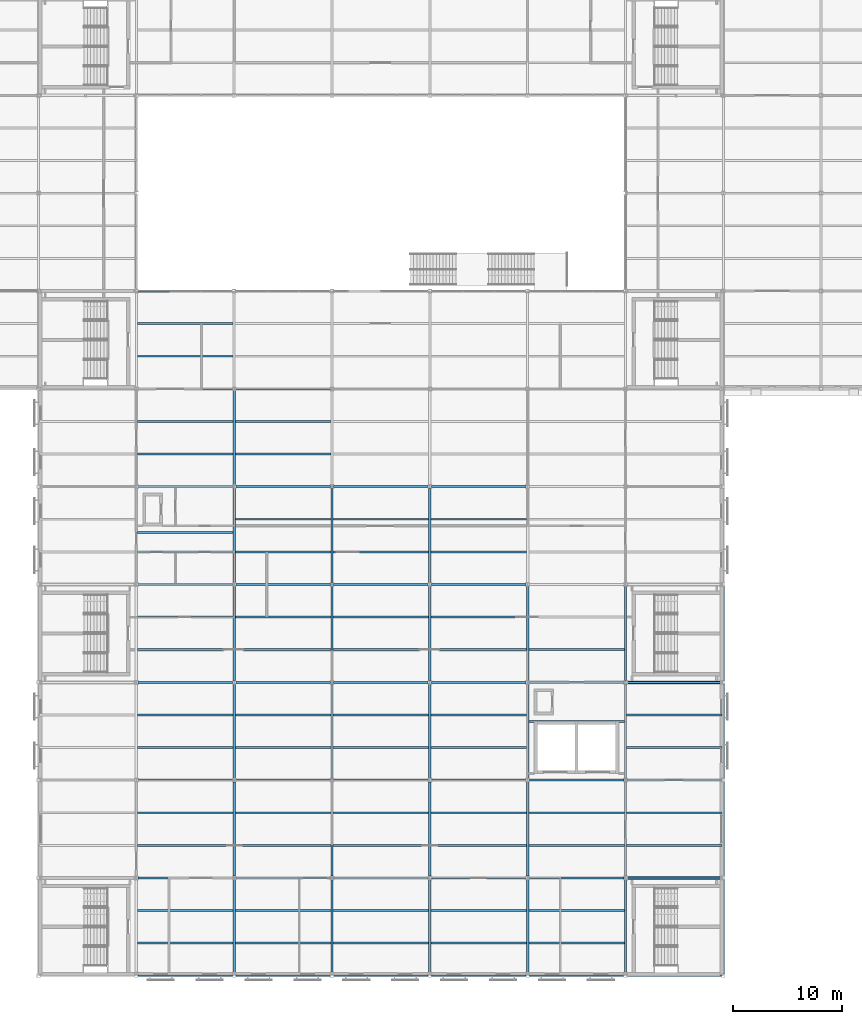
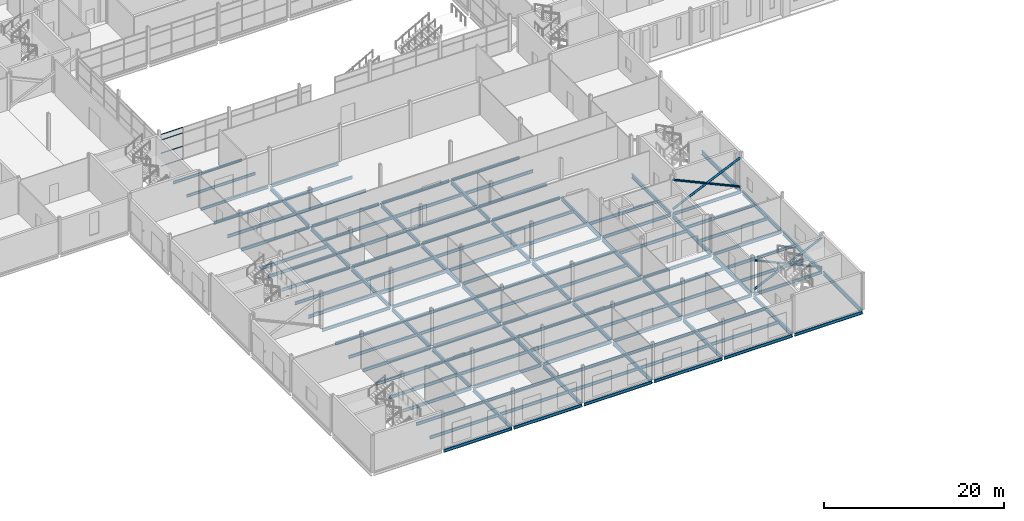
# One storey, part 19 of 112: 118 beams, 8 members, 1 element without a shape of its own.
"""IFC4 building model written with IfcOpenShell, lengths in metres."""

from ifc_helpers import new_model, si_unit, direction, frame, origin, origin_2d, place, context, subcontext, project, spatial, hollow_rectangle, hollow_circle, i_section, extrude, material, layer, layer_set, material_profile, profile_set, type_object, element, aggregate, save


model = new_model("IFC4")

# Units and contexts
model_context = context("Model", 3, precision=1e-05, world=origin(), true_north=direction((0.0, 1.0)))
body_context = subcontext(model_context, "Body", "Model", "MODEL_VIEW")
ifc_project = project(units=[si_unit("LENGTHUNIT", "METRE"), si_unit("AREAUNIT", "SQUARE_METRE"), si_unit("VOLUMEUNIT", "CUBIC_METRE"), si_unit("PLANEANGLEUNIT", "RADIAN"), si_unit("MASSUNIT", "GRAM", prefix="KILO")], contexts=[model_context])

# Site, building, storey
site_placement = place(None, origin())
site = spatial("IfcSite", under=ifc_project, at=site_placement, CompositionType="ELEMENT")
building_placement = place(site_placement, origin())
building = spatial("IfcBuilding", under=site, at=building_placement, Name="Shorebreak Coast Museum", CompositionType="ELEMENT")
storey_placement = place(building_placement, frame((0.0, 0.0, 6.0)))
storey = spatial("IfcBuildingStorey", under=building, at=storey_placement, Name="L01", CompositionType="ELEMENT", Elevation=6.0)

# Beams
ifc_material_1 = material(Name="Steel Grade 300", Category="steel")
ifc_material_profile_1 = material_profile(ifc_material_1, i_section(OverallWidth=0.172119140625, OverallDepth=0.358642578125, WebThickness=0.008056640625, FlangeThickness=0.012939453125, FilletRadius=0.011474609375, at=origin_2d()), Name="360UB56.7")
ifc_profile_set_1 = profile_set([ifc_material_profile_1], Name="Steel Grade 300")
beam_type_1 = type_object("IfcBeamType", Name="Floor girder east-west 360UB56.7", PredefinedType="BEAM", material=ifc_profile_set_1)
for number, where, z_axis, x_axis, name in (
    (1, (63.154541015625, 54.0, -0.354248046875), (1.0, 0.0, 0.0), (0.0, 1.0, 0.0), "Floor girder east-west L01 8G"),
    (2, (72.154541015625, 54.0, -0.354248046875), (1.0, 0.0, 0.0), (0.0, 1.0, 0.0), "Floor girder east-west L01 9G"),
):
    element("IfcBeam", number, at=place(storey_placement, frame(where, z_axis=z_axis, x_axis=x_axis)), inside=storey, type_object=beam_type_1, Name=name, PredefinedType="BEAM", context=body_context, shape_type="SweptSolid", body=[
        extrude(i_section(OverallWidth=0.172119140625, OverallDepth=0.358642578125, WebThickness=0.008056640625, FlangeThickness=0.012939453125, FilletRadius=0.011474609375, at=origin_2d()), origin(), (0.0, 0.0, 1.0), 8.69091796875),
    ])
ifc_material_2 = material(Name="Steel Grade 300", Category="steel")
ifc_material_profile_2 = material_profile(ifc_material_2, i_section(OverallWidth=0.177978515625, OverallDepth=0.406494140625, WebThickness=0.0078125, FlangeThickness=0.0126953125, FilletRadius=0.011474609375, at=origin_2d()), Name="410UB59.7")
ifc_profile_set_2 = profile_set([ifc_material_profile_2], Name="Steel Grade 300")
beam_type_2 = type_object("IfcBeamType", Name="Floor girder east-west 410UB59.7", PredefinedType="BEAM", material=ifc_profile_set_2)
for number, where, z_axis, x_axis, name in (
    (3, (63.14990234375, 0.0, -0.378173828125), (1.0, 0.0, 0.0), (0.0, 1.0, 0.0), "Floor girder east-west L01 8A"),
    (4, (72.14990234375, 0.0, -0.378173828125), (1.0, 0.0, 0.0), (0.0, 1.0, 0.0), "Floor girder east-west L01 9A"),
    (5, (81.14990234375, 0.0, -0.378173828125), (1.0, 0.0, 0.0), (0.0, 1.0, 0.0), "Floor girder east-west L01 10A"),
    (6, (90.14990234375, 0.0, -0.378173828125), (1.0, 0.0, 0.0), (0.0, 1.0, 0.0), "Floor girder east-west L01 11A"),
    (7, (99.14990234375, 0.0, -0.378173828125), (1.0, 0.0, 0.0), (0.0, 1.0, 0.0), "Floor girder east-west L01 12A"),
    (8, (108.14990234375, 0.0, -0.378173828125), (1.0, 0.0, 0.0), (0.0, 1.0, 0.0), "Floor girder east-west L01 13A"),
):
    element("IfcBeam", number, at=place(storey_placement, frame(where, z_axis=z_axis, x_axis=x_axis)), inside=storey, type_object=beam_type_2, Name=name, PredefinedType="BEAM", context=body_context, shape_type="SweptSolid", body=[
        extrude(i_section(OverallWidth=0.177978515625, OverallDepth=0.406494140625, WebThickness=0.0078125, FlangeThickness=0.0126953125, FilletRadius=0.011474609375, at=origin_2d()), origin(), (0.0, 0.0, 1.0), 8.7001953125),
    ])
for number, where, z_axis, x_axis, name in (
    (9, (63.154541015625, 9.0, -0.378173828125), (1.0, 0.0, 0.0), (0.0, 1.0, 0.0), "Floor girder east-west L01 8B"),
    (10, (72.154541015625, 9.0, -0.378173828125), (1.0, 0.0, 0.0), (0.0, 1.0, 0.0), "Floor girder east-west L01 9B"),
    (11, (81.154541015625, 9.0, -0.378173828125), (1.0, 0.0, 0.0), (0.0, 1.0, 0.0), "Floor girder east-west L01 10B"),
    (12, (90.154541015625, 9.0, -0.378173828125), (1.0, 0.0, 0.0), (0.0, 1.0, 0.0), "Floor girder east-west L01 11B"),
    (13, (99.154541015625, 9.0, -0.378173828125), (1.0, 0.0, 0.0), (0.0, 1.0, 0.0), "Floor girder east-west L01 12B"),
):
    element("IfcBeam", number, at=place(storey_placement, frame(where, z_axis=z_axis, x_axis=x_axis)), inside=storey, type_object=beam_type_2, Name=name, PredefinedType="BEAM", context=body_context, shape_type="SweptSolid", body=[
        extrude(i_section(OverallWidth=0.177978515625, OverallDepth=0.406494140625, WebThickness=0.0078125, FlangeThickness=0.0126953125, FilletRadius=0.011474609375, at=origin_2d()), origin(), (0.0, 0.0, 1.0), 8.69091796875),
    ])
beam_1_placement = place(storey_placement, frame((108.154541015625, 9.0, -0.378173828125), z_axis=(1.0, 0.0, 0.0), x_axis=(0.0, 1.0, 0.0)))
element("IfcBeam", 14, at=beam_1_placement, inside=storey, type_object=beam_type_2, Name="Floor girder east-west L01 13B", PredefinedType="BEAM", context=body_context, shape_type="SweptSolid", body=[
    extrude(i_section(OverallWidth=0.177978515625, OverallDepth=0.406494140625, WebThickness=0.0078125, FlangeThickness=0.0126953125, FilletRadius=0.011474609375, at=origin_2d()), origin(), (0.0, 0.0, 1.0), 8.695556640625),
])
for number, where, z_axis, x_axis, name in (
    (15, (63.154541015625, 18.0, -0.378173828125), (1.0, 0.0, 0.0), (0.0, 1.0, 0.0), "Floor girder east-west L01 8C"),
    (16, (72.154541015625, 18.0, -0.378173828125), (1.0, 0.0, 0.0), (0.0, 1.0, 0.0), "Floor girder east-west L01 9C"),
    (17, (81.154541015625, 18.0, -0.378173828125), (1.0, 0.0, 0.0), (0.0, 1.0, 0.0), "Floor girder east-west L01 10C"),
    (18, (90.154541015625, 18.0, -0.378173828125), (1.0, 0.0, 0.0), (0.0, 1.0, 0.0), "Floor girder east-west L01 11C"),
    (19, (99.154541015625, 18.0, -0.378173828125), (1.0, 0.0, 0.0), (0.0, 1.0, 0.0), "Floor girder east-west L01 12C"),
):
    element("IfcBeam", number, at=place(storey_placement, frame(where, z_axis=z_axis, x_axis=x_axis)), inside=storey, type_object=beam_type_2, Name=name, PredefinedType="BEAM", context=body_context, shape_type="SweptSolid", body=[
        extrude(i_section(OverallWidth=0.177978515625, OverallDepth=0.406494140625, WebThickness=0.0078125, FlangeThickness=0.0126953125, FilletRadius=0.011474609375, at=origin_2d()), origin(), (0.0, 0.0, 1.0), 8.69091796875),
    ])
beam_2_placement = place(storey_placement, frame((108.154541015625, 18.0, -0.378173828125), z_axis=(1.0, 0.0, 0.0), x_axis=(0.0, 1.0, 0.0)))
element("IfcBeam", 20, at=beam_2_placement, inside=storey, type_object=beam_type_2, Name="Floor girder east-west L01 13C", PredefinedType="BEAM", context=body_context, shape_type="SweptSolid", body=[
    extrude(i_section(OverallWidth=0.177978515625, OverallDepth=0.406494140625, WebThickness=0.0078125, FlangeThickness=0.0126953125, FilletRadius=0.011474609375, at=origin_2d()), origin(), (0.0, 0.0, 1.0), 8.695556640625),
])
for number, where, z_axis, x_axis, name in (
    (21, (63.154541015625, 27.0, -0.378173828125), (1.0, 0.0, 0.0), (0.0, 1.0, 0.0), "Floor girder east-west L01 8D"),
    (22, (72.154541015625, 27.0, -0.378173828125), (1.0, 0.0, 0.0), (0.0, 1.0, 0.0), "Floor girder east-west L01 9D"),
    (23, (81.154541015625, 27.0, -0.378173828125), (1.0, 0.0, 0.0), (0.0, 1.0, 0.0), "Floor girder east-west L01 10D"),
    (24, (90.154541015625, 27.0, -0.378173828125), (1.0, 0.0, 0.0), (0.0, 1.0, 0.0), "Floor girder east-west L01 11D"),
    (25, (99.154541015625, 27.0, -0.378173828125), (1.0, 0.0, 0.0), (0.0, 1.0, 0.0), "Floor girder east-west L01 12D"),
):
    element("IfcBeam", number, at=place(storey_placement, frame(where, z_axis=z_axis, x_axis=x_axis)), inside=storey, type_object=beam_type_2, Name=name, PredefinedType="BEAM", context=body_context, shape_type="SweptSolid", body=[
        extrude(i_section(OverallWidth=0.177978515625, OverallDepth=0.406494140625, WebThickness=0.0078125, FlangeThickness=0.0126953125, FilletRadius=0.011474609375, at=origin_2d()), origin(), (0.0, 0.0, 1.0), 8.69091796875),
    ])
beam_3_placement = place(storey_placement, frame((108.154541015625, 27.0, -0.378173828125), z_axis=(1.0, 0.0, 0.0), x_axis=(0.0, 1.0, 0.0)))
element("IfcBeam", 26, at=beam_3_placement, inside=storey, type_object=beam_type_2, Name="Floor girder east-west L01 13D", PredefinedType="BEAM", context=body_context, shape_type="SweptSolid", body=[
    extrude(i_section(OverallWidth=0.177978515625, OverallDepth=0.406494140625, WebThickness=0.0078125, FlangeThickness=0.0126953125, FilletRadius=0.011474609375, at=origin_2d()), origin(), (0.0, 0.0, 1.0), 8.695556640625),
])
for number, where, z_axis, x_axis, name in (
    (27, (63.154541015625, 36.0, -0.378173828125), (1.0, 0.0, 0.0), (0.0, 1.0, 0.0), "Floor girder east-west L01 8E"),
    (28, (72.154541015625, 36.0, -0.378173828125), (1.0, 0.0, 0.0), (0.0, 1.0, 0.0), "Floor girder east-west L01 9E"),
    (29, (81.154541015625, 36.0, -0.378173828125), (1.0, 0.0, 0.0), (0.0, 1.0, 0.0), "Floor girder east-west L01 10E"),
    (30, (90.154541015625, 36.0, -0.378173828125), (1.0, 0.0, 0.0), (0.0, 1.0, 0.0), "Floor girder east-west L01 11E"),
    (31, (63.154541015625, 45.0, -0.378173828125), (1.0, 0.0, 0.0), (0.0, 1.0, 0.0), "Floor girder east-west L01 8F"),
    (32, (72.154541015625, 45.0, -0.378173828125), (1.0, 0.0, 0.0), (0.0, 1.0, 0.0), "Floor girder east-west L01 9F"),
    (33, (81.154541015625, 45.0, -0.378173828125), (1.0, 0.0, 0.0), (0.0, 1.0, 0.0), "Floor girder east-west L01 10F"),
    (34, (90.154541015625, 45.0, -0.378173828125), (1.0, 0.0, 0.0), (0.0, 1.0, 0.0), "Floor girder east-west L01 11F"),
):
    element("IfcBeam", number, at=place(storey_placement, frame(where, z_axis=z_axis, x_axis=x_axis)), inside=storey, type_object=beam_type_2, Name=name, PredefinedType="BEAM", context=body_context, shape_type="SweptSolid", body=[
        extrude(i_section(OverallWidth=0.177978515625, OverallDepth=0.406494140625, WebThickness=0.0078125, FlangeThickness=0.0126953125, FilletRadius=0.011474609375, at=origin_2d()), origin(), (0.0, 0.0, 1.0), 8.69091796875),
    ])
ifc_material_3 = material(Name="Steel Grade 300", Category="steel")
ifc_material_profile_3 = material_profile(ifc_material_3, i_section(OverallWidth=0.208984375, OverallDepth=0.532958984375, WebThickness=0.01025390625, FlangeThickness=0.015625, FilletRadius=0.013916015625, at=origin_2d()), Name="530UB92.4")
ifc_profile_set_3 = profile_set([ifc_material_profile_3], Name="Steel Grade 300")
beam_type_3 = type_object("IfcBeamType", Name="Floor girder north-south 530UB92.4", PredefinedType="BEAM", material=ifc_profile_set_3)
for number, where, z_axis, x_axis, name in (
    (35, (72.0, 0.14990234375, -0.44140625), (0.0, 1.0, 0.0), (-1.0, 0.0, 0.0), "Floor girder north-south L01 9A"),
    (36, (81.0, 0.14990234375, -0.44140625), (0.0, 1.0, 0.0), (-1.0, 0.0, 0.0), "Floor girder north-south L01 10A"),
    (37, (90.0, 0.14990234375, -0.44140625), (0.0, 1.0, 0.0), (-1.0, 0.0, 0.0), "Floor girder north-south L01 11A"),
    (38, (99.0, 0.14990234375, -0.44140625), (0.0, 1.0, 0.0), (-1.0, 0.0, 0.0), "Floor girder north-south L01 12A"),
    (39, (108.0, 0.14990234375, -0.44140625), (0.0, 1.0, 0.0), (-1.0, 0.0, 0.0), "Floor girder north-south L01 13A"),
):
    element("IfcBeam", number, at=place(storey_placement, frame(where, z_axis=z_axis, x_axis=x_axis)), inside=storey, type_object=beam_type_3, Name=name, PredefinedType="BEAM", context=body_context, shape_type="SweptSolid", body=[
        extrude(i_section(OverallWidth=0.208984375, OverallDepth=0.532958984375, WebThickness=0.01025390625, FlangeThickness=0.015625, FilletRadius=0.013916015625, at=origin_2d()), origin(), (0.0, 0.0, 1.0), 8.689697265625),
    ])
beam_4_placement = place(storey_placement, frame((117.0, 0.14990234375, -0.44140625), z_axis=(0.0, 1.0, 0.0), x_axis=(-1.0, 0.0, 0.0)))
element("IfcBeam", 40, at=beam_4_placement, inside=storey, type_object=beam_type_3, Name="Floor girder north-south L01 14A", PredefinedType="BEAM", context=body_context, shape_type="SweptSolid", body=[
    extrude(i_section(OverallWidth=0.208984375, OverallDepth=0.532958984375, WebThickness=0.01025390625, FlangeThickness=0.015625, FilletRadius=0.013916015625, at=origin_2d()), origin(), (0.0, 0.0, 1.0), 8.7001953125),
])
for number, where, z_axis, x_axis, name in (
    (41, (72.0, 9.160400390625, -0.44140625), (0.0, 1.0, 0.0), (-1.0, 0.0, 0.0), "Floor girder north-south L01 9B"),
    (42, (81.0, 9.160400390625, -0.44140625), (0.0, 1.0, 0.0), (-1.0, 0.0, 0.0), "Floor girder north-south L01 10B"),
    (43, (90.0, 9.160400390625, -0.44140625), (0.0, 1.0, 0.0), (-1.0, 0.0, 0.0), "Floor girder north-south L01 11B"),
    (44, (99.0, 9.160400390625, -0.44140625), (0.0, 1.0, 0.0), (-1.0, 0.0, 0.0), "Floor girder north-south L01 12B"),
    (45, (108.0, 9.160400390625, -0.44140625), (0.0, 1.0, 0.0), (-1.0, 0.0, 0.0), "Floor girder north-south L01 13B"),
):
    element("IfcBeam", number, at=place(storey_placement, frame(where, z_axis=z_axis, x_axis=x_axis)), inside=storey, type_object=beam_type_3, Name=name, PredefinedType="BEAM", context=body_context, shape_type="SweptSolid", body=[
        extrude(i_section(OverallWidth=0.208984375, OverallDepth=0.532958984375, WebThickness=0.01025390625, FlangeThickness=0.015625, FilletRadius=0.013916015625, at=origin_2d()), origin(), (0.0, 0.0, 1.0), 8.67919921875),
    ])
beam_5_placement = place(storey_placement, frame((117.0, 9.14990234375, -0.44140625), z_axis=(0.0, 1.0, 0.0), x_axis=(-1.0, 0.0, 0.0)))
element("IfcBeam", 46, at=beam_5_placement, inside=storey, type_object=beam_type_3, Name="Floor girder north-south L01 14B", PredefinedType="BEAM", context=body_context, shape_type="SweptSolid", body=[
    extrude(i_section(OverallWidth=0.208984375, OverallDepth=0.532958984375, WebThickness=0.01025390625, FlangeThickness=0.015625, FilletRadius=0.013916015625, at=origin_2d()), origin(), (0.0, 0.0, 1.0), 8.7001953125),
])
for number, where, z_axis, x_axis, name in (
    (47, (72.0, 18.160400390625, -0.44140625), (0.0, 1.0, 0.0), (-1.0, 0.0, 0.0), "Floor girder north-south L01 9C"),
    (48, (81.0, 18.160400390625, -0.44140625), (0.0, 1.0, 0.0), (-1.0, 0.0, 0.0), "Floor girder north-south L01 10C"),
    (49, (90.0, 18.160400390625, -0.44140625), (0.0, 1.0, 0.0), (-1.0, 0.0, 0.0), "Floor girder north-south L01 11C"),
    (50, (99.0, 18.160400390625, -0.44140625), (0.0, 1.0, 0.0), (-1.0, 0.0, 0.0), "Floor girder north-south L01 12C"),
    (51, (108.0, 18.160400390625, -0.44140625), (0.0, 1.0, 0.0), (-1.0, 0.0, 0.0), "Floor girder north-south L01 13C"),
):
    element("IfcBeam", number, at=place(storey_placement, frame(where, z_axis=z_axis, x_axis=x_axis)), inside=storey, type_object=beam_type_3, Name=name, PredefinedType="BEAM", context=body_context, shape_type="SweptSolid", body=[
        extrude(i_section(OverallWidth=0.208984375, OverallDepth=0.532958984375, WebThickness=0.01025390625, FlangeThickness=0.015625, FilletRadius=0.013916015625, at=origin_2d()), origin(), (0.0, 0.0, 1.0), 8.67919921875),
    ])
beam_6_placement = place(storey_placement, frame((117.0, 18.14990234375, -0.44140625), z_axis=(0.0, 1.0, 0.0), x_axis=(-1.0, 0.0, 0.0)))
element("IfcBeam", 52, at=beam_6_placement, inside=storey, type_object=beam_type_3, Name="Floor girder north-south L01 14C", PredefinedType="BEAM", context=body_context, shape_type="SweptSolid", body=[
    extrude(i_section(OverallWidth=0.208984375, OverallDepth=0.532958984375, WebThickness=0.01025390625, FlangeThickness=0.015625, FilletRadius=0.013916015625, at=origin_2d()), origin(), (0.0, 0.0, 1.0), 8.7001953125),
])
for number, where, z_axis, x_axis, name in (
    (53, (72.0, 27.160400390625, -0.44140625), (0.0, 1.0, 0.0), (-1.0, 0.0, 0.0), "Floor girder north-south L01 9D"),
    (54, (81.0, 27.160400390625, -0.44140625), (0.0, 1.0, 0.0), (-1.0, 0.0, 0.0), "Floor girder north-south L01 10D"),
    (55, (90.0, 27.160400390625, -0.44140625), (0.0, 1.0, 0.0), (-1.0, 0.0, 0.0), "Floor girder north-south L01 11D"),
    (56, (99.0, 27.160400390625, -0.44140625), (0.0, 1.0, 0.0), (-1.0, 0.0, 0.0), "Floor girder north-south L01 12D"),
    (57, (108.0, 27.160400390625, -0.44140625), (0.0, 1.0, 0.0), (-1.0, 0.0, 0.0), "Floor girder north-south L01 13D"),
):
    element("IfcBeam", number, at=place(storey_placement, frame(where, z_axis=z_axis, x_axis=x_axis)), inside=storey, type_object=beam_type_3, Name=name, PredefinedType="BEAM", context=body_context, shape_type="SweptSolid", body=[
        extrude(i_section(OverallWidth=0.208984375, OverallDepth=0.532958984375, WebThickness=0.01025390625, FlangeThickness=0.015625, FilletRadius=0.013916015625, at=origin_2d()), origin(), (0.0, 0.0, 1.0), 8.67919921875),
    ])
beam_7_placement = place(storey_placement, frame((117.0, 27.14990234375, -0.44140625), z_axis=(0.0, 1.0, 0.0), x_axis=(-1.0, 0.0, 0.0)))
element("IfcBeam", 58, at=beam_7_placement, inside=storey, type_object=beam_type_3, Name="Floor girder north-south L01 14D", PredefinedType="BEAM", context=body_context, shape_type="SweptSolid", body=[
    extrude(i_section(OverallWidth=0.208984375, OverallDepth=0.532958984375, WebThickness=0.01025390625, FlangeThickness=0.015625, FilletRadius=0.013916015625, at=origin_2d()), origin(), (0.0, 0.0, 1.0), 8.7001953125),
])
for number, where, z_axis, x_axis, name in (
    (59, (72.0, 36.160400390625, -0.44140625), (0.0, 1.0, 0.0), (-1.0, 0.0, 0.0), "Floor girder north-south L01 9E"),
    (60, (81.0, 36.160400390625, -0.44140625), (0.0, 1.0, 0.0), (-1.0, 0.0, 0.0), "Floor girder north-south L01 10E"),
    (61, (90.0, 36.160400390625, -0.44140625), (0.0, 1.0, 0.0), (-1.0, 0.0, 0.0), "Floor girder north-south L01 11E"),
    (62, (72.0, 45.160400390625, -0.44140625), (0.0, 1.0, 0.0), (-1.0, 0.0, 0.0), "Floor girder north-south L01 9F"),
):
    element("IfcBeam", number, at=place(storey_placement, frame(where, z_axis=z_axis, x_axis=x_axis)), inside=storey, type_object=beam_type_3, Name=name, PredefinedType="BEAM", context=body_context, shape_type="SweptSolid", body=[
        extrude(i_section(OverallWidth=0.208984375, OverallDepth=0.532958984375, WebThickness=0.01025390625, FlangeThickness=0.015625, FilletRadius=0.013916015625, at=origin_2d()), origin(), (0.0, 0.0, 1.0), 8.67919921875),
    ])
ifc_material_4 = material(Name="Steel Grade 300", Category="steel")
ifc_material_profile_4 = material_profile(ifc_material_4, i_section(OverallWidth=0.1708984375, OverallDepth=0.35205078125, WebThickness=0.0068359375, FlangeThickness=0.009765625, FilletRadius=0.011474609375, at=origin_2d()), Name="360UB44.7")
ifc_profile_set_4 = profile_set([ifc_material_profile_4], Name="Steel Grade 300")
beam_type_4 = type_object("IfcBeamType", Name="Floor joist 360UB44.7", PredefinedType="JOIST", material=ifc_profile_set_4)
for number, where, z_axis, x_axis, name in (
    (63, (63.095458984375, 57.0, -0.35107421875), (1.0, 0.0, 0.0), (0.0, 1.0, 0.0), "Floor joist L01 bay 8G at 3000 mm"),
    (64, (63.095458984375, 60.0, -0.35107421875), (1.0, 0.0, 0.0), (0.0, 1.0, 0.0), "Floor joist L01 bay 8G at 6000 mm"),
):
    element("IfcBeam", number, at=place(storey_placement, frame(where, z_axis=z_axis, x_axis=x_axis)), inside=storey, type_object=beam_type_4, Name=name, PredefinedType="JOIST", context=body_context, shape_type="SweptSolid", body=[
        extrude(i_section(OverallWidth=0.1708984375, OverallDepth=0.35205078125, WebThickness=0.0068359375, FlangeThickness=0.009765625, FilletRadius=0.011474609375, at=origin_2d()), origin(), (0.0, 0.0, 1.0), 8.80908203125),
    ])
ifc_material_5 = material(Name="Steel Grade 300", Category="steel")
ifc_material_profile_5 = material_profile(ifc_material_5, i_section(OverallWidth=0.177978515625, OverallDepth=0.402587890625, WebThickness=0.007568359375, FlangeThickness=0.010986328125, FilletRadius=0.011474609375, at=origin_2d()), Name="410UB53.7")
ifc_profile_set_5 = profile_set([ifc_material_profile_5], Name="Steel Grade 300")
beam_type_5 = type_object("IfcBeamType", Name="Floor joist 410UB53.7", PredefinedType="JOIST", material=ifc_profile_set_5)
for number, where, z_axis, x_axis, name in (
    (65, (63.1044921875, 3.0, -0.376220703125), (1.0, 0.0, 0.0), (0.0, 1.0, 0.0), "Floor joist L01 bay 8A at 3000 mm"),
    (66, (63.1044921875, 6.0, -0.376220703125), (1.0, 0.0, 0.0), (0.0, 1.0, 0.0), "Floor joist L01 bay 8A at 6000 mm"),
    (67, (72.1044921875, 3.0, -0.376220703125), (1.0, 0.0, 0.0), (0.0, 1.0, 0.0), "Floor joist L01 bay 9A at 3000 mm"),
    (68, (72.1044921875, 6.0, -0.376220703125), (1.0, 0.0, 0.0), (0.0, 1.0, 0.0), "Floor joist L01 bay 9A at 6000 mm"),
    (69, (81.1044921875, 3.0, -0.376220703125), (1.0, 0.0, 0.0), (0.0, 1.0, 0.0), "Floor joist L01 bay 10A at 3000 mm"),
    (70, (81.1044921875, 6.0, -0.376220703125), (1.0, 0.0, 0.0), (0.0, 1.0, 0.0), "Floor joist L01 bay 10A at 6000 mm"),
    (71, (90.1044921875, 3.0, -0.376220703125), (1.0, 0.0, 0.0), (0.0, 1.0, 0.0), "Floor joist L01 bay 11A at 3000 mm"),
    (72, (90.1044921875, 6.0, -0.376220703125), (1.0, 0.0, 0.0), (0.0, 1.0, 0.0), "Floor joist L01 bay 11A at 6000 mm"),
    (73, (99.1044921875, 3.0, -0.376220703125), (1.0, 0.0, 0.0), (0.0, 1.0, 0.0), "Floor joist L01 bay 12A at 3000 mm"),
    (74, (99.1044921875, 6.0, -0.376220703125), (1.0, 0.0, 0.0), (0.0, 1.0, 0.0), "Floor joist L01 bay 12A at 6000 mm"),
    (75, (63.1044921875, 12.0, -0.376220703125), (1.0, 0.0, 0.0), (0.0, 1.0, 0.0), "Floor joist L01 bay 8B at 3000 mm"),
    (76, (63.1044921875, 15.0, -0.376220703125), (1.0, 0.0, 0.0), (0.0, 1.0, 0.0), "Floor joist L01 bay 8B at 6000 mm"),
    (77, (72.1044921875, 12.0, -0.376220703125), (1.0, 0.0, 0.0), (0.0, 1.0, 0.0), "Floor joist L01 bay 9B at 3000 mm"),
    (78, (72.1044921875, 15.0, -0.376220703125), (1.0, 0.0, 0.0), (0.0, 1.0, 0.0), "Floor joist L01 bay 9B at 6000 mm"),
    (79, (81.1044921875, 12.0, -0.376220703125), (1.0, 0.0, 0.0), (0.0, 1.0, 0.0), "Floor joist L01 bay 10B at 3000 mm"),
    (80, (81.1044921875, 15.0, -0.376220703125), (1.0, 0.0, 0.0), (0.0, 1.0, 0.0), "Floor joist L01 bay 10B at 6000 mm"),
    (81, (90.1044921875, 12.0, -0.376220703125), (1.0, 0.0, 0.0), (0.0, 1.0, 0.0), "Floor joist L01 bay 11B at 3000 mm"),
    (82, (90.1044921875, 15.0, -0.376220703125), (1.0, 0.0, 0.0), (0.0, 1.0, 0.0), "Floor joist L01 bay 11B at 6000 mm"),
    (83, (99.1044921875, 12.0, -0.376220703125), (1.0, 0.0, 0.0), (0.0, 1.0, 0.0), "Floor joist L01 bay 12B at 3000 mm"),
    (84, (99.1044921875, 15.0, -0.376220703125), (1.0, 0.0, 0.0), (0.0, 1.0, 0.0), "Floor joist L01 bay 12B at 6000 mm"),
    (85, (108.1044921875, 12.0, -0.376220703125), (1.0, 0.0, 0.0), (0.0, 1.0, 0.0), "Floor joist L01 bay 13B at 3000 mm"),
    (86, (108.1044921875, 15.0, -0.376220703125), (1.0, 0.0, 0.0), (0.0, 1.0, 0.0), "Floor joist L01 bay 13B at 6000 mm"),
    (87, (63.1044921875, 21.0, -0.376220703125), (1.0, 0.0, 0.0), (0.0, 1.0, 0.0), "Floor joist L01 bay 8C at 3000 mm"),
    (88, (63.1044921875, 24.0, -0.376220703125), (1.0, 0.0, 0.0), (0.0, 1.0, 0.0), "Floor joist L01 bay 8C at 6000 mm"),
    (89, (72.1044921875, 21.0, -0.376220703125), (1.0, 0.0, 0.0), (0.0, 1.0, 0.0), "Floor joist L01 bay 9C at 3000 mm"),
    (90, (72.1044921875, 24.0, -0.376220703125), (1.0, 0.0, 0.0), (0.0, 1.0, 0.0), "Floor joist L01 bay 9C at 6000 mm"),
    (91, (81.1044921875, 21.0, -0.376220703125), (1.0, 0.0, 0.0), (0.0, 1.0, 0.0), "Floor joist L01 bay 10C at 3000 mm"),
    (92, (81.1044921875, 24.0, -0.376220703125), (1.0, 0.0, 0.0), (0.0, 1.0, 0.0), "Floor joist L01 bay 10C at 6000 mm"),
    (93, (90.1044921875, 21.0, -0.376220703125), (1.0, 0.0, 0.0), (0.0, 1.0, 0.0), "Floor joist L01 bay 11C at 3000 mm"),
    (94, (90.1044921875, 24.0, -0.376220703125), (1.0, 0.0, 0.0), (0.0, 1.0, 0.0), "Floor joist L01 bay 11C at 6000 mm"),
    (95, (99.1044921875, 23.39990234375, -0.376220703125), (1.0, 0.0, 0.0), (0.0, 1.0, 0.0), "Floor joist L01 bay 12C at 5400 mm"),
    (96, (108.1044921875, 21.0, -0.376220703125), (1.0, 0.0, 0.0), (0.0, 1.0, 0.0), "Floor joist L01 bay 13C at 3000 mm"),
    (97, (108.1044921875, 24.0, -0.376220703125), (1.0, 0.0, 0.0), (0.0, 1.0, 0.0), "Floor joist L01 bay 13C at 6000 mm"),
    (98, (63.1044921875, 30.0, -0.376220703125), (1.0, 0.0, 0.0), (0.0, 1.0, 0.0), "Floor joist L01 bay 8D at 3000 mm"),
    (99, (63.1044921875, 33.0, -0.376220703125), (1.0, 0.0, 0.0), (0.0, 1.0, 0.0), "Floor joist L01 bay 8D at 6000 mm"),
    (100, (72.1044921875, 30.0, -0.376220703125), (1.0, 0.0, 0.0), (0.0, 1.0, 0.0), "Floor joist L01 bay 9D at 3000 mm"),
    (101, (72.1044921875, 33.0, -0.376220703125), (1.0, 0.0, 0.0), (0.0, 1.0, 0.0), "Floor joist L01 bay 9D at 6000 mm"),
    (102, (81.1044921875, 30.0, -0.376220703125), (1.0, 0.0, 0.0), (0.0, 1.0, 0.0), "Floor joist L01 bay 10D at 3000 mm"),
    (103, (81.1044921875, 33.0, -0.376220703125), (1.0, 0.0, 0.0), (0.0, 1.0, 0.0), "Floor joist L01 bay 10D at 6000 mm"),
    (104, (90.1044921875, 30.0, -0.376220703125), (1.0, 0.0, 0.0), (0.0, 1.0, 0.0), "Floor joist L01 bay 11D at 3000 mm"),
    (105, (90.1044921875, 33.0, -0.376220703125), (1.0, 0.0, 0.0), (0.0, 1.0, 0.0), "Floor joist L01 bay 11D at 6000 mm"),
    (106, (99.1044921875, 30.0, -0.376220703125), (1.0, 0.0, 0.0), (0.0, 1.0, 0.0), "Floor joist L01 bay 12D at 3000 mm"),
    (107, (63.1044921875, 39.0, -0.376220703125), (1.0, 0.0, 0.0), (0.0, 1.0, 0.0), "Floor joist L01 bay 8E at 3000 mm"),
    (108, (63.1044921875, 40.800048828125, -0.376220703125), (1.0, 0.0, 0.0), (0.0, 1.0, 0.0), "Floor joist L01 bay 8E at 4800 mm"),
    (109, (72.1044921875, 39.0, -0.376220703125), (1.0, 0.0, 0.0), (0.0, 1.0, 0.0), "Floor joist L01 bay 9E at 3000 mm"),
    (110, (72.1044921875, 42.0, -0.376220703125), (1.0, 0.0, 0.0), (0.0, 1.0, 0.0), "Floor joist L01 bay 9E at 6000 mm"),
    (111, (81.1044921875, 39.0, -0.376220703125), (1.0, 0.0, 0.0), (0.0, 1.0, 0.0), "Floor joist L01 bay 10E at 3000 mm"),
    (112, (81.1044921875, 42.0, -0.376220703125), (1.0, 0.0, 0.0), (0.0, 1.0, 0.0), "Floor joist L01 bay 10E at 6000 mm"),
    (113, (90.1044921875, 39.0, -0.376220703125), (1.0, 0.0, 0.0), (0.0, 1.0, 0.0), "Floor joist L01 bay 11E at 3000 mm"),
    (114, (90.1044921875, 42.0, -0.376220703125), (1.0, 0.0, 0.0), (0.0, 1.0, 0.0), "Floor joist L01 bay 11E at 6000 mm"),
    (115, (63.1044921875, 48.0, -0.376220703125), (1.0, 0.0, 0.0), (0.0, 1.0, 0.0), "Floor joist L01 bay 8F at 3000 mm"),
    (116, (63.1044921875, 51.0, -0.376220703125), (1.0, 0.0, 0.0), (0.0, 1.0, 0.0), "Floor joist L01 bay 8F at 6000 mm"),
    (117, (72.1044921875, 48.0, -0.376220703125), (1.0, 0.0, 0.0), (0.0, 1.0, 0.0), "Floor joist L01 bay 9F at 3000 mm"),
    (118, (72.1044921875, 51.0, -0.376220703125), (1.0, 0.0, 0.0), (0.0, 1.0, 0.0), "Floor joist L01 bay 9F at 6000 mm"),
):
    element("IfcBeam", number, at=place(storey_placement, frame(where, z_axis=z_axis, x_axis=x_axis)), inside=storey, type_object=beam_type_5, Name=name, PredefinedType="JOIST", context=body_context, shape_type="SweptSolid", body=[
        extrude(i_section(OverallWidth=0.177978515625, OverallDepth=0.402587890625, WebThickness=0.007568359375, FlangeThickness=0.010986328125, FilletRadius=0.011474609375, at=origin_2d()), origin(), (0.0, 0.0, 1.0), 8.791015625),
    ])

# Curtain wall, members
ifc_material_6 = material(Name="Aluminium", Category="aluminium")
ifc_layer = layer(ifc_material_6, 0.1201171875)
ifc_layer_set = layer_set([ifc_layer], Name="Aluminium")
curtain_wall_type = type_object("IfcCurtainWallType", Name="Atrium fire screen", PredefinedType="NOTDEFINED", material=ifc_layer_set)
curtain_wall_placement = place(storey_placement, origin())
curtain_wall = element("IfcCurtainWall", 119, at=curtain_wall_placement, inside=storey, type_object=curtain_wall_type, Name="Atrium screen L01 S 1", PredefinedType="NOTDEFINED")
ifc_material_7 = material(Name="Aluminium", Category="aluminium")
ifc_material_profile_6 = material_profile(ifc_material_7, hollow_rectangle(XDim=0.1201171875, YDim=0.06005859375, WallThickness=0.00341796875, at=origin_2d()), Name="AL 60x120 RHS")
ifc_profile_set_6 = profile_set([ifc_material_profile_6], Name="Aluminium")
member_type_1 = type_object("IfcMemberType", Name="Screen transom 120 x 50", PredefinedType="USERDEFINED", material=ifc_profile_set_6)
member_1_placement = place(storey_placement, frame((63.20556640625, 62.93994140625, 0.06005859375), z_axis=(1.0, 0.0, 0.0), x_axis=(0.0, 1.0, 0.0)))
member_1 = element("IfcMember", 120, at=member_1_placement, type_object=member_type_1, Name="CW5 transom 1.1", ObjectType="TRANSOM", PredefinedType="USERDEFINED", context=body_context, shape_type="SweptSolid", body=[
    extrude(hollow_rectangle(XDim=0.1201171875, YDim=0.06005859375, WallThickness=0.00341796875, at=origin_2d()), origin(), (0.0, 0.0, 1.0), 2.8212890625),
])
member_2_placement = place(storey_placement, frame((63.20556640625, 62.93994140625, 1.800048828125), z_axis=(1.0, 0.0, 0.0), x_axis=(0.0, 1.0, 0.0)))
member_2 = element("IfcMember", 121, at=member_2_placement, type_object=member_type_1, Name="CW5 transom 1.2", ObjectType="TRANSOM", PredefinedType="USERDEFINED", context=body_context, shape_type="SweptSolid", body=[
    extrude(hollow_rectangle(XDim=0.1201171875, YDim=0.06005859375, WallThickness=0.00341796875, at=origin_2d()), origin(), (0.0, 0.0, 1.0), 2.8212890625),
])
member_3_placement = place(storey_placement, frame((63.20556640625, 62.93994140625, 3.60009765625), z_axis=(1.0, 0.0, 0.0), x_axis=(0.0, 1.0, 0.0)))
member_3 = element("IfcMember", 122, at=member_3_placement, type_object=member_type_1, Name="CW5 transom 1.3", ObjectType="TRANSOM", PredefinedType="USERDEFINED", context=body_context, shape_type="SweptSolid", body=[
    extrude(hollow_rectangle(XDim=0.1201171875, YDim=0.06005859375, WallThickness=0.00341796875, at=origin_2d()), origin(), (0.0, 0.0, 1.0), 2.8212890625),
])
member_4_placement = place(storey_placement, frame((63.20556640625, 62.93994140625, 4.3623046875), z_axis=(1.0, 0.0, 0.0), x_axis=(0.0, 1.0, 0.0)))
member_4 = element("IfcMember", 123, at=member_4_placement, type_object=member_type_1, Name="CW5 transom 1.4", ObjectType="TRANSOM", PredefinedType="USERDEFINED", context=body_context, shape_type="SweptSolid", body=[
    extrude(hollow_rectangle(XDim=0.1201171875, YDim=0.06005859375, WallThickness=0.00341796875, at=origin_2d()), origin(), (0.0, 0.0, 1.0), 2.8212890625),
])
aggregate(curtain_wall, [member_1, member_2, member_3, member_4])

# Members
ifc_material_8 = material(Name="Steel Grade C350L0", Category="steel")
ifc_material_profile_7 = material_profile(ifc_material_8, hollow_circle(Radius=0.136474609375, WallThickness=0.00927734375, at=origin_2d()), Name="273.1x9.3 CHS")
ifc_profile_set_7 = profile_set([ifc_material_profile_7], Name="Steel Grade C350L0")
member_type_2 = type_object("IfcMemberType", Name="X-brace 273.1x9.3 CHS", PredefinedType="BRACE", material=ifc_profile_set_7)
for number, where, z_axis, x_axis, name in (
    (124, (108.154541015625, 9.0, 0.300048828125), (0.909484682467, 0.0, 0.415737431991), (0.0, 1.0, 0.0), "X-brace bay 14 L01 diagonal 1"),
    (125, (116.85009765625, 9.0, 0.300048828125), (-0.909484682467, 0.0, 0.415737431991), (0.0, -1.0, 0.0), "X-brace bay 14 L01 diagonal 2"),
    (126, (108.154541015625, 27.0, 0.300048828125), (0.909484682467, 0.0, 0.415737431991), (0.0, 1.0, 0.0), "X-brace bay 17 L01 diagonal 1"),
    (127, (116.85009765625, 27.0, 0.300048828125), (-0.909484682467, 0.0, 0.415737431991), (0.0, -1.0, 0.0), "X-brace bay 17 L01 diagonal 2"),
):
    element("IfcMember", number, at=place(storey_placement, frame(where, z_axis=z_axis, x_axis=x_axis)), inside=storey, type_object=member_type_2, Name=name, PredefinedType="BRACE", context=body_context, shape_type="SweptSolid", body=[
        extrude(hollow_circle(Radius=0.136474609375, WallThickness=0.00927734375, at=origin_2d()), origin(), (0.0, 0.0, 1.0), 9.56103515625),
    ])

save(model, "model.ifc")
